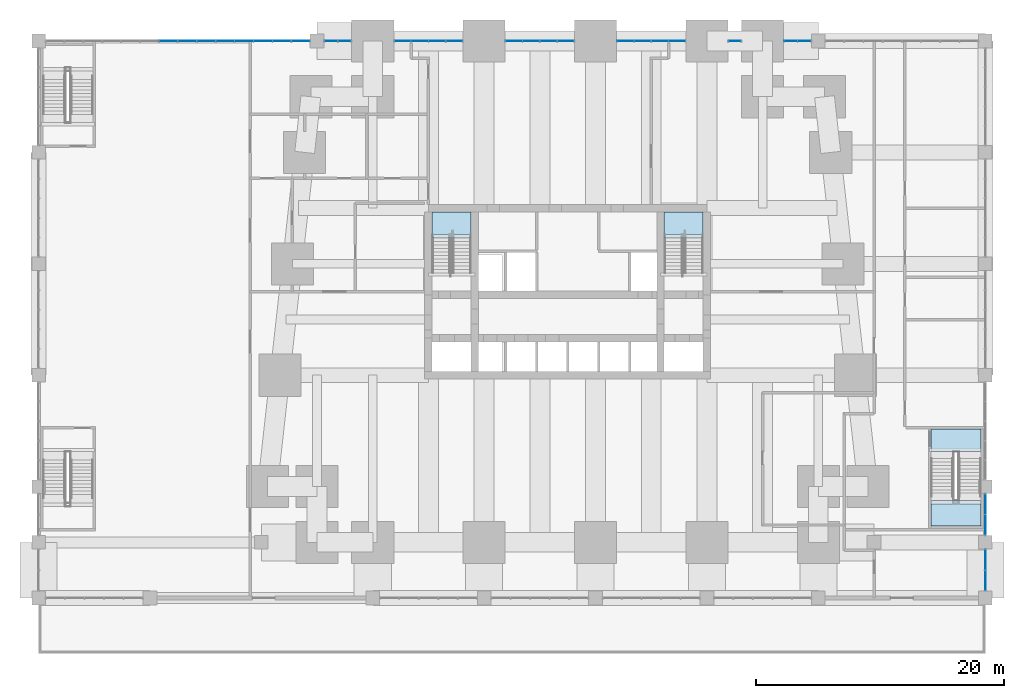
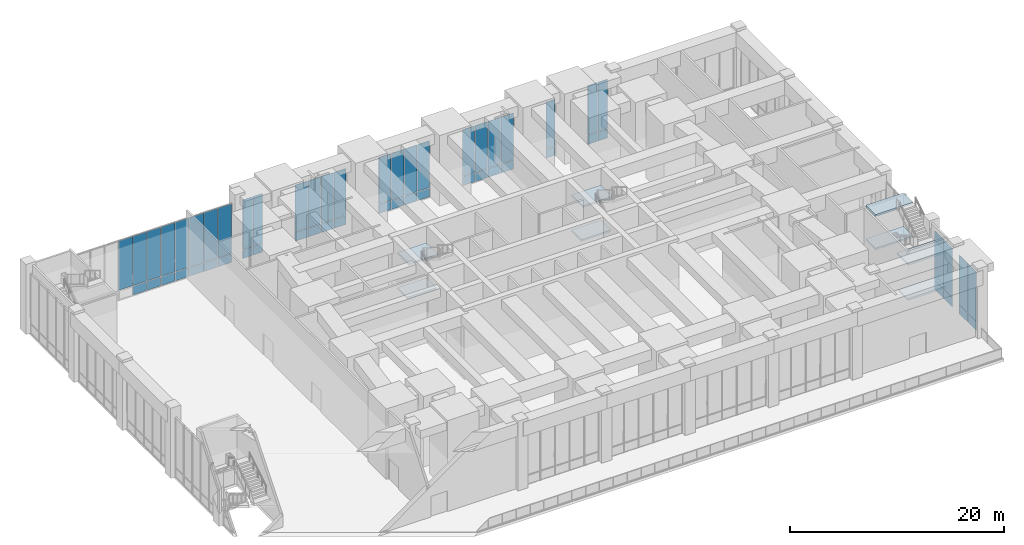
# One storey, part 16 of 26: 57 plates, 8 slabs, 12 elements without a shape of their own.
"""IFC4 building model written with IfcOpenShell, lengths in metres."""

from ifc_helpers import new_model, si_unit, direction, frame, origin, origin_2d, place, context, subcontext, project, spatial, polyline, rectangle, outline, extrude, material, layer, layer_set, type_object, element, aggregate, save


model = new_model("IFC4")

# Units and contexts
model_context = context("Model", 3, precision=1e-05, world=origin(), true_north=direction((0.0, 1.0)))
body_context = subcontext(model_context, "Body", "Model", "MODEL_VIEW")
ifc_project = project(units=[si_unit("LENGTHUNIT", "METRE"), si_unit("AREAUNIT", "SQUARE_METRE"), si_unit("VOLUMEUNIT", "CUBIC_METRE"), si_unit("PLANEANGLEUNIT", "RADIAN"), si_unit("MASSUNIT", "GRAM", prefix="KILO")], contexts=[model_context])

# Site, building, storey
site_placement = place(None, origin())
site = spatial("IfcSite", under=ifc_project, at=site_placement, CompositionType="ELEMENT")
building_placement = place(site_placement, origin())
building = spatial("IfcBuilding", under=site, at=building_placement, Name="Kilele Tower Hotel", CompositionType="ELEMENT")
storey_placement = place(building_placement, frame((0.0, 0.0, 11.0)))
storey = spatial("IfcBuildingStorey", under=building, at=storey_placement, Name="L02", CompositionType="ELEMENT", Elevation=11.0)

# Curtain wall, plates
ifc_material_1 = material(Name="Aluminium curtain wall, clear double glazing", Category="aluminium")
curtain_wall_type_1 = type_object("IfcCurtainWallType", Name="Podium curtain wall CW-1", PredefinedType="NOTDEFINED", material=ifc_material_1)
curtain_wall_1_placement = place(storey_placement, origin())
curtain_wall_1 = element("IfcCurtainWall", 1, at=curtain_wall_1_placement, inside=storey, type_object=curtain_wall_type_1, Name="Podium curtain wall CW-1 L02", PredefinedType="NOTDEFINED")
ifc_material_2 = material(Name="Clear double glazing", Category="glass")
ifc_layer_1 = layer(ifc_material_2, 0.028076171875)
ifc_layer_set_1 = layer_set([ifc_layer_1], Name="Clear double glazing")
plate_type_1 = type_object("IfcPlateType", Name="Glazed panel 28 CW-1", PredefinedType="CURTAIN_PANEL", material=ifc_layer_set_1)
plate_1_placement = place(storey_placement, frame((43.87255859375, 40.5, 0.06005859375), z_axis=(0.0, 0.0, 1.0), x_axis=(-1.0, 0.0, 0.0)))
plate_1 = element("IfcPlate", 2, at=plate_1_placement, type_object=plate_type_1, Name="CW-1 panel 1.1", PredefinedType="CURTAIN_PANEL", context=body_context, shape_type="SweptSolid", body=[
    extrude(rectangle(XDim=1.034912109375, YDim=0.028076171875, at=origin_2d()), origin(), (0.0, 0.0, 1.0), 1.010009765625),
])
plate_2_placement = place(storey_placement, frame((43.87255859375, 40.5, 1.1298828125), z_axis=(0.0, 0.0, 1.0), x_axis=(-1.0, 0.0, 0.0)))
plate_2 = element("IfcPlate", 3, at=plate_2_placement, type_object=plate_type_1, Name="CW-1 panel 1.2", PredefinedType="CURTAIN_PANEL", context=body_context, shape_type="SweptSolid", body=[
    extrude(rectangle(XDim=1.034912109375, YDim=0.028076171875, at=origin_2d()), origin(), (0.0, 0.0, 1.0), 5.610107421875),
])
plate_3_placement = place(storey_placement, frame((42.777587890625, 40.5, 0.06005859375), z_axis=(0.0, 0.0, 1.0), x_axis=(-1.0, 0.0, 0.0)))
plate_3 = element("IfcPlate", 4, at=plate_3_placement, type_object=plate_type_1, Name="CW-1 panel 2.1", PredefinedType="CURTAIN_PANEL", context=body_context, shape_type="SweptSolid", body=[
    extrude(rectangle(XDim=1.034912109375, YDim=0.028076171875, at=origin_2d()), origin(), (0.0, 0.0, 1.0), 1.010009765625),
])
plate_4_placement = place(storey_placement, frame((42.777587890625, 40.5, 1.1298828125), z_axis=(0.0, 0.0, 1.0), x_axis=(-1.0, 0.0, 0.0)))
plate_4 = element("IfcPlate", 5, at=plate_4_placement, type_object=plate_type_1, Name="CW-1 panel 2.2", PredefinedType="CURTAIN_PANEL", context=body_context, shape_type="SweptSolid", body=[
    extrude(rectangle(XDim=1.034912109375, YDim=0.028076171875, at=origin_2d()), origin(), (0.0, 0.0, 1.0), 5.610107421875),
])
aggregate(curtain_wall_1, [plate_1, plate_2, plate_3, plate_4])

curtain_wall_2_placement = place(storey_placement, origin())
curtain_wall_2 = element("IfcCurtainWall", 6, at=curtain_wall_2_placement, inside=storey, type_object=curtain_wall_type_1, Name="Podium curtain wall CW-1 L02", PredefinedType="NOTDEFINED")
plate_5_placement = place(storey_placement, frame((38.25, 40.5, 0.06005859375), z_axis=(0.0, 0.0, 1.0), x_axis=(-1.0, 0.0, 0.0)))
plate_5 = element("IfcPlate", 7, at=plate_5_placement, type_object=plate_type_1, Name="CW-1 panel 1.1", PredefinedType="CURTAIN_PANEL", context=body_context, shape_type="SweptSolid", body=[
    extrude(rectangle(XDim=0.97998046875, YDim=0.028076171875, at=origin_2d()), origin(), (0.0, 0.0, 1.0), 1.010009765625),
])
plate_6_placement = place(storey_placement, frame((38.25, 40.5, 1.1298828125), z_axis=(0.0, 0.0, 1.0), x_axis=(-1.0, 0.0, 0.0)))
plate_6 = element("IfcPlate", 8, at=plate_6_placement, type_object=plate_type_1, Name="CW-1 panel 1.2", PredefinedType="CURTAIN_PANEL", context=body_context, shape_type="SweptSolid", body=[
    extrude(rectangle(XDim=0.97998046875, YDim=0.028076171875, at=origin_2d()), origin(), (0.0, 0.0, 1.0), 5.31005859375),
])
aggregate(curtain_wall_2, [plate_5, plate_6])

curtain_wall_3_placement = place(storey_placement, origin())
curtain_wall_3 = element("IfcCurtainWall", 9, at=curtain_wall_3_placement, inside=storey, type_object=curtain_wall_type_1, Name="Podium curtain wall CW-1 L02", PredefinedType="NOTDEFINED")
plate_7_placement = place(storey_placement, frame((33.5849609375, 40.5, 0.06005859375), z_axis=(0.0, 0.0, 1.0), x_axis=(-1.0, 0.0, 0.0)))
plate_7 = element("IfcPlate", 10, at=plate_7_placement, type_object=plate_type_1, Name="CW-1 panel 1.1", PredefinedType="CURTAIN_PANEL", context=body_context, shape_type="SweptSolid", body=[
    extrude(rectangle(XDim=1.31005859375, YDim=0.028076171875, at=origin_2d()), origin(), (0.0, 0.0, 1.0), 1.010009765625),
])
plate_8_placement = place(storey_placement, frame((33.5849609375, 40.5, 1.1298828125), z_axis=(0.0, 0.0, 1.0), x_axis=(-1.0, 0.0, 0.0)))
plate_8 = element("IfcPlate", 11, at=plate_8_placement, type_object=plate_type_1, Name="CW-1 panel 1.2", PredefinedType="CURTAIN_PANEL", context=body_context, shape_type="SweptSolid", body=[
    extrude(rectangle(XDim=1.31005859375, YDim=0.028076171875, at=origin_2d()), origin(), (0.0, 0.0, 1.0), 5.31005859375),
])
plate_9_placement = place(storey_placement, frame((32.199951171875, 40.5, 0.06005859375), z_axis=(0.0, 0.0, 1.0), x_axis=(-1.0, 0.0, 0.0)))
plate_9 = element("IfcPlate", 12, at=plate_9_placement, type_object=plate_type_1, Name="CW-1 panel 2.1", PredefinedType="CURTAIN_PANEL", context=body_context, shape_type="SweptSolid", body=[
    extrude(rectangle(XDim=1.340087890625, YDim=0.028076171875, at=origin_2d()), origin(), (0.0, 0.0, 1.0), 1.010009765625),
])
plate_10_placement = place(storey_placement, frame((32.199951171875, 40.5, 1.1298828125), z_axis=(0.0, 0.0, 1.0), x_axis=(-1.0, 0.0, 0.0)))
plate_10 = element("IfcPlate", 13, at=plate_10_placement, type_object=plate_type_1, Name="CW-1 panel 2.2", PredefinedType="CURTAIN_PANEL", context=body_context, shape_type="SweptSolid", body=[
    extrude(rectangle(XDim=1.340087890625, YDim=0.028076171875, at=origin_2d()), origin(), (0.0, 0.0, 1.0), 5.31005859375),
])
plate_11_placement = place(storey_placement, frame((30.800048828125, 40.5, 0.06005859375), z_axis=(0.0, 0.0, 1.0), x_axis=(-1.0, 0.0, 0.0)))
plate_11 = element("IfcPlate", 14, at=plate_11_placement, type_object=plate_type_1, Name="CW-1 panel 3.1", PredefinedType="CURTAIN_PANEL", context=body_context, shape_type="SweptSolid", body=[
    extrude(rectangle(XDim=1.340087890625, YDim=0.028076171875, at=origin_2d()), origin(), (0.0, 0.0, 1.0), 1.010009765625),
])
plate_12_placement = place(storey_placement, frame((30.800048828125, 40.5, 1.1298828125), z_axis=(0.0, 0.0, 1.0), x_axis=(-1.0, 0.0, 0.0)))
plate_12 = element("IfcPlate", 15, at=plate_12_placement, type_object=plate_type_1, Name="CW-1 panel 3.2", PredefinedType="CURTAIN_PANEL", context=body_context, shape_type="SweptSolid", body=[
    extrude(rectangle(XDim=1.340087890625, YDim=0.028076171875, at=origin_2d()), origin(), (0.0, 0.0, 1.0), 5.31005859375),
])
plate_13_placement = place(storey_placement, frame((29.4150390625, 40.5, 0.06005859375), z_axis=(0.0, 0.0, 1.0), x_axis=(-1.0, 0.0, 0.0)))
plate_13 = element("IfcPlate", 16, at=plate_13_placement, type_object=plate_type_1, Name="CW-1 panel 4.1", PredefinedType="CURTAIN_PANEL", context=body_context, shape_type="SweptSolid", body=[
    extrude(rectangle(XDim=1.31005859375, YDim=0.028076171875, at=origin_2d()), origin(), (0.0, 0.0, 1.0), 1.010009765625),
])
plate_14_placement = place(storey_placement, frame((29.4150390625, 40.5, 1.1298828125), z_axis=(0.0, 0.0, 1.0), x_axis=(-1.0, 0.0, 0.0)))
plate_14 = element("IfcPlate", 17, at=plate_14_placement, type_object=plate_type_1, Name="CW-1 panel 4.2", PredefinedType="CURTAIN_PANEL", context=body_context, shape_type="SweptSolid", body=[
    extrude(rectangle(XDim=1.31005859375, YDim=0.028076171875, at=origin_2d()), origin(), (0.0, 0.0, 1.0), 5.31005859375),
])
aggregate(curtain_wall_3, [plate_7, plate_8, plate_9, plate_10, plate_11, plate_12, plate_13, plate_14])

curtain_wall_4_placement = place(storey_placement, origin())
curtain_wall_4 = element("IfcCurtainWall", 18, at=curtain_wall_4_placement, inside=storey, type_object=curtain_wall_type_1, Name="Podium curtain wall CW-1 L02", PredefinedType="NOTDEFINED")
plate_15_placement = place(storey_placement, frame((24.5849609375, 40.5, 0.06005859375), z_axis=(0.0, 0.0, 1.0), x_axis=(-1.0, 0.0, 0.0)))
plate_15 = element("IfcPlate", 19, at=plate_15_placement, type_object=plate_type_1, Name="CW-1 panel 1.1", PredefinedType="CURTAIN_PANEL", context=body_context, shape_type="SweptSolid", body=[
    extrude(rectangle(XDim=1.31005859375, YDim=0.028076171875, at=origin_2d()), origin(), (0.0, 0.0, 1.0), 1.010009765625),
])
plate_16_placement = place(storey_placement, frame((24.5849609375, 40.5, 1.1298828125), z_axis=(0.0, 0.0, 1.0), x_axis=(-1.0, 0.0, 0.0)))
plate_16 = element("IfcPlate", 20, at=plate_16_placement, type_object=plate_type_1, Name="CW-1 panel 1.2", PredefinedType="CURTAIN_PANEL", context=body_context, shape_type="SweptSolid", body=[
    extrude(rectangle(XDim=1.31005859375, YDim=0.028076171875, at=origin_2d()), origin(), (0.0, 0.0, 1.0), 5.31005859375),
])
plate_17_placement = place(storey_placement, frame((23.199951171875, 40.5, 0.06005859375), z_axis=(0.0, 0.0, 1.0), x_axis=(-1.0, 0.0, 0.0)))
plate_17 = element("IfcPlate", 21, at=plate_17_placement, type_object=plate_type_1, Name="CW-1 panel 2.1", PredefinedType="CURTAIN_PANEL", context=body_context, shape_type="SweptSolid", body=[
    extrude(rectangle(XDim=1.340087890625, YDim=0.028076171875, at=origin_2d()), origin(), (0.0, 0.0, 1.0), 1.010009765625),
])
plate_18_placement = place(storey_placement, frame((23.199951171875, 40.5, 1.1298828125), z_axis=(0.0, 0.0, 1.0), x_axis=(-1.0, 0.0, 0.0)))
plate_18 = element("IfcPlate", 22, at=plate_18_placement, type_object=plate_type_1, Name="CW-1 panel 2.2", PredefinedType="CURTAIN_PANEL", context=body_context, shape_type="SweptSolid", body=[
    extrude(rectangle(XDim=1.340087890625, YDim=0.028076171875, at=origin_2d()), origin(), (0.0, 0.0, 1.0), 5.31005859375),
])
plate_19_placement = place(storey_placement, frame((21.800048828125, 40.5, 0.06005859375), z_axis=(0.0, 0.0, 1.0), x_axis=(-1.0, 0.0, 0.0)))
plate_19 = element("IfcPlate", 23, at=plate_19_placement, type_object=plate_type_1, Name="CW-1 panel 3.1", PredefinedType="CURTAIN_PANEL", context=body_context, shape_type="SweptSolid", body=[
    extrude(rectangle(XDim=1.340087890625, YDim=0.028076171875, at=origin_2d()), origin(), (0.0, 0.0, 1.0), 1.010009765625),
])
plate_20_placement = place(storey_placement, frame((21.800048828125, 40.5, 1.1298828125), z_axis=(0.0, 0.0, 1.0), x_axis=(-1.0, 0.0, 0.0)))
plate_20 = element("IfcPlate", 24, at=plate_20_placement, type_object=plate_type_1, Name="CW-1 panel 3.2", PredefinedType="CURTAIN_PANEL", context=body_context, shape_type="SweptSolid", body=[
    extrude(rectangle(XDim=1.340087890625, YDim=0.028076171875, at=origin_2d()), origin(), (0.0, 0.0, 1.0), 5.31005859375),
])
plate_21_placement = place(storey_placement, frame((20.4150390625, 40.5, 0.06005859375), z_axis=(0.0, 0.0, 1.0), x_axis=(-1.0, 0.0, 0.0)))
plate_21 = element("IfcPlate", 25, at=plate_21_placement, type_object=plate_type_1, Name="CW-1 panel 4.1", PredefinedType="CURTAIN_PANEL", context=body_context, shape_type="SweptSolid", body=[
    extrude(rectangle(XDim=1.31005859375, YDim=0.028076171875, at=origin_2d()), origin(), (0.0, 0.0, 1.0), 1.010009765625),
])
plate_22_placement = place(storey_placement, frame((20.4150390625, 40.5, 1.1298828125), z_axis=(0.0, 0.0, 1.0), x_axis=(-1.0, 0.0, 0.0)))
plate_22 = element("IfcPlate", 26, at=plate_22_placement, type_object=plate_type_1, Name="CW-1 panel 4.2", PredefinedType="CURTAIN_PANEL", context=body_context, shape_type="SweptSolid", body=[
    extrude(rectangle(XDim=1.31005859375, YDim=0.028076171875, at=origin_2d()), origin(), (0.0, 0.0, 1.0), 5.31005859375),
])
aggregate(curtain_wall_4, [plate_15, plate_16, plate_17, plate_18, plate_19, plate_20, plate_21, plate_22])

curtain_wall_5_placement = place(storey_placement, origin())
curtain_wall_5 = element("IfcCurtainWall", 27, at=curtain_wall_5_placement, inside=storey, type_object=curtain_wall_type_1, Name="Podium curtain wall CW-1 L02", PredefinedType="NOTDEFINED")
plate_23_placement = place(storey_placement, frame((15.5849609375, 40.5, 0.06005859375), z_axis=(0.0, 0.0, 1.0), x_axis=(-1.0, 0.0, 0.0)))
plate_23 = element("IfcPlate", 28, at=plate_23_placement, type_object=plate_type_1, Name="CW-1 panel 1.1", PredefinedType="CURTAIN_PANEL", context=body_context, shape_type="SweptSolid", body=[
    extrude(rectangle(XDim=1.31005859375, YDim=0.028076171875, at=origin_2d()), origin(), (0.0, 0.0, 1.0), 1.010009765625),
])
plate_24_placement = place(storey_placement, frame((15.5849609375, 40.5, 1.1298828125), z_axis=(0.0, 0.0, 1.0), x_axis=(-1.0, 0.0, 0.0)))
plate_24 = element("IfcPlate", 29, at=plate_24_placement, type_object=plate_type_1, Name="CW-1 panel 1.2", PredefinedType="CURTAIN_PANEL", context=body_context, shape_type="SweptSolid", body=[
    extrude(rectangle(XDim=1.31005859375, YDim=0.028076171875, at=origin_2d()), origin(), (0.0, 0.0, 1.0), 5.31005859375),
])
plate_25_placement = place(storey_placement, frame((14.199951171875, 40.5, 0.06005859375), z_axis=(0.0, 0.0, 1.0), x_axis=(-1.0, 0.0, 0.0)))
plate_25 = element("IfcPlate", 30, at=plate_25_placement, type_object=plate_type_1, Name="CW-1 panel 2.1", PredefinedType="CURTAIN_PANEL", context=body_context, shape_type="SweptSolid", body=[
    extrude(rectangle(XDim=1.340087890625, YDim=0.028076171875, at=origin_2d()), origin(), (0.0, 0.0, 1.0), 1.010009765625),
])
plate_26_placement = place(storey_placement, frame((14.199951171875, 40.5, 1.1298828125), z_axis=(0.0, 0.0, 1.0), x_axis=(-1.0, 0.0, 0.0)))
plate_26 = element("IfcPlate", 31, at=plate_26_placement, type_object=plate_type_1, Name="CW-1 panel 2.2", PredefinedType="CURTAIN_PANEL", context=body_context, shape_type="SweptSolid", body=[
    extrude(rectangle(XDim=1.340087890625, YDim=0.028076171875, at=origin_2d()), origin(), (0.0, 0.0, 1.0), 5.31005859375),
])
plate_27_placement = place(storey_placement, frame((12.800048828125, 40.5, 0.06005859375), z_axis=(0.0, 0.0, 1.0), x_axis=(-1.0, 0.0, 0.0)))
plate_27 = element("IfcPlate", 32, at=plate_27_placement, type_object=plate_type_1, Name="CW-1 panel 3.1", PredefinedType="CURTAIN_PANEL", context=body_context, shape_type="SweptSolid", body=[
    extrude(rectangle(XDim=1.340087890625, YDim=0.028076171875, at=origin_2d()), origin(), (0.0, 0.0, 1.0), 1.010009765625),
])
plate_28_placement = place(storey_placement, frame((12.800048828125, 40.5, 1.1298828125), z_axis=(0.0, 0.0, 1.0), x_axis=(-1.0, 0.0, 0.0)))
plate_28 = element("IfcPlate", 33, at=plate_28_placement, type_object=plate_type_1, Name="CW-1 panel 3.2", PredefinedType="CURTAIN_PANEL", context=body_context, shape_type="SweptSolid", body=[
    extrude(rectangle(XDim=1.340087890625, YDim=0.028076171875, at=origin_2d()), origin(), (0.0, 0.0, 1.0), 5.31005859375),
])
plate_29_placement = place(storey_placement, frame((11.4150390625, 40.5, 0.06005859375), z_axis=(0.0, 0.0, 1.0), x_axis=(-1.0, 0.0, 0.0)))
plate_29 = element("IfcPlate", 34, at=plate_29_placement, type_object=plate_type_1, Name="CW-1 panel 4.1", PredefinedType="CURTAIN_PANEL", context=body_context, shape_type="SweptSolid", body=[
    extrude(rectangle(XDim=1.31005859375, YDim=0.028076171875, at=origin_2d()), origin(), (0.0, 0.0, 1.0), 1.010009765625),
])
plate_30_placement = place(storey_placement, frame((11.4150390625, 40.5, 1.1298828125), z_axis=(0.0, 0.0, 1.0), x_axis=(-1.0, 0.0, 0.0)))
plate_30 = element("IfcPlate", 35, at=plate_30_placement, type_object=plate_type_1, Name="CW-1 panel 4.2", PredefinedType="CURTAIN_PANEL", context=body_context, shape_type="SweptSolid", body=[
    extrude(rectangle(XDim=1.31005859375, YDim=0.028076171875, at=origin_2d()), origin(), (0.0, 0.0, 1.0), 5.31005859375),
])
aggregate(curtain_wall_5, [plate_23, plate_24, plate_25, plate_26, plate_27, plate_28, plate_29, plate_30])

curtain_wall_6_placement = place(storey_placement, origin())
curtain_wall_6 = element("IfcCurtainWall", 36, at=curtain_wall_6_placement, inside=storey, type_object=curtain_wall_type_1, Name="Podium curtain wall CW-1 L02", PredefinedType="NOTDEFINED")
plate_31_placement = place(storey_placement, frame((6.722412109375, 40.5, 0.06005859375), z_axis=(0.0, 0.0, 1.0), x_axis=(-1.0, 0.0, 0.0)))
plate_31 = element("IfcPlate", 37, at=plate_31_placement, type_object=plate_type_1, Name="CW-1 panel 1.1", PredefinedType="CURTAIN_PANEL", context=body_context, shape_type="SweptSolid", body=[
    extrude(rectangle(XDim=1.034912109375, YDim=0.028076171875, at=origin_2d()), origin(), (0.0, 0.0, 1.0), 1.010009765625),
])
plate_32_placement = place(storey_placement, frame((6.722412109375, 40.5, 1.1298828125), z_axis=(0.0, 0.0, 1.0), x_axis=(-1.0, 0.0, 0.0)))
plate_32 = element("IfcPlate", 38, at=plate_32_placement, type_object=plate_type_1, Name="CW-1 panel 1.2", PredefinedType="CURTAIN_PANEL", context=body_context, shape_type="SweptSolid", body=[
    extrude(rectangle(XDim=1.034912109375, YDim=0.028076171875, at=origin_2d()), origin(), (0.0, 0.0, 1.0), 5.610107421875),
])
plate_33_placement = place(storey_placement, frame((5.62744140625, 40.5, 0.06005859375), z_axis=(0.0, 0.0, 1.0), x_axis=(-1.0, 0.0, 0.0)))
plate_33 = element("IfcPlate", 39, at=plate_33_placement, type_object=plate_type_1, Name="CW-1 panel 2.1", PredefinedType="CURTAIN_PANEL", context=body_context, shape_type="SweptSolid", body=[
    extrude(rectangle(XDim=1.034912109375, YDim=0.028076171875, at=origin_2d()), origin(), (0.0, 0.0, 1.0), 1.010009765625),
])
plate_34_placement = place(storey_placement, frame((5.62744140625, 40.5, 1.1298828125), z_axis=(0.0, 0.0, 1.0), x_axis=(-1.0, 0.0, 0.0)))
plate_34 = element("IfcPlate", 40, at=plate_34_placement, type_object=plate_type_1, Name="CW-1 panel 2.2", PredefinedType="CURTAIN_PANEL", context=body_context, shape_type="SweptSolid", body=[
    extrude(rectangle(XDim=1.034912109375, YDim=0.028076171875, at=origin_2d()), origin(), (0.0, 0.0, 1.0), 5.610107421875),
])
aggregate(curtain_wall_6, [plate_31, plate_32, plate_33, plate_34])

curtain_wall_7_placement = place(storey_placement, origin())
curtain_wall_7 = element("IfcCurtainWall", 41, at=curtain_wall_7_placement, inside=storey, type_object=curtain_wall_type_1, Name="Podium curtain wall CW-1 L02", PredefinedType="NOTDEFINED")
plate_35_placement = place(storey_placement, frame((3.170654296875, 40.5, 0.06005859375), z_axis=(0.0, 0.0, 1.0), x_axis=(-1.0, 0.0, 0.0)))
plate_35 = element("IfcPlate", 42, at=plate_35_placement, type_object=plate_type_1, Name="CW-1 panel 1.1", PredefinedType="CURTAIN_PANEL", context=body_context, shape_type="SweptSolid", body=[
    extrude(rectangle(XDim=1.4384765625, YDim=0.028076171875, at=origin_2d()), origin(), (0.0, 0.0, 1.0), 1.010009765625),
])
plate_36_placement = place(storey_placement, frame((3.170654296875, 40.5, 1.1298828125), z_axis=(0.0, 0.0, 1.0), x_axis=(-1.0, 0.0, 0.0)))
plate_36 = element("IfcPlate", 43, at=plate_36_placement, type_object=plate_type_1, Name="CW-1 panel 1.2", PredefinedType="CURTAIN_PANEL", context=body_context, shape_type="SweptSolid", body=[
    extrude(rectangle(XDim=1.4384765625, YDim=0.028076171875, at=origin_2d()), origin(), (0.0, 0.0, 1.0), 5.610107421875),
])
plate_37_placement = place(storey_placement, frame((1.6572265625, 40.5, 0.06005859375), z_axis=(0.0, 0.0, 1.0), x_axis=(-1.0, 0.0, 0.0)))
plate_37 = element("IfcPlate", 44, at=plate_37_placement, type_object=plate_type_1, Name="CW-1 panel 2.1", PredefinedType="CURTAIN_PANEL", context=body_context, shape_type="SweptSolid", body=[
    extrude(rectangle(XDim=1.468505859375, YDim=0.028076171875, at=origin_2d()), origin(), (0.0, 0.0, 1.0), 1.010009765625),
])
plate_38_placement = place(storey_placement, frame((1.6572265625, 40.5, 1.1298828125), z_axis=(0.0, 0.0, 1.0), x_axis=(-1.0, 0.0, 0.0)))
plate_38 = element("IfcPlate", 45, at=plate_38_placement, type_object=plate_type_1, Name="CW-1 panel 2.2", PredefinedType="CURTAIN_PANEL", context=body_context, shape_type="SweptSolid", body=[
    extrude(rectangle(XDim=1.468505859375, YDim=0.028076171875, at=origin_2d()), origin(), (0.0, 0.0, 1.0), 5.610107421875),
])
plate_39_placement = place(storey_placement, frame((0.128662109375, 40.5, 0.06005859375), z_axis=(0.0, 0.0, 1.0), x_axis=(-1.0, 0.0, 0.0)))
plate_39 = element("IfcPlate", 46, at=plate_39_placement, type_object=plate_type_1, Name="CW-1 panel 3.1", PredefinedType="CURTAIN_PANEL", context=body_context, shape_type="SweptSolid", body=[
    extrude(rectangle(XDim=1.468505859375, YDim=0.028076171875, at=origin_2d()), origin(), (0.0, 0.0, 1.0), 1.010009765625),
])
plate_40_placement = place(storey_placement, frame((0.128662109375, 40.5, 1.1298828125), z_axis=(0.0, 0.0, 1.0), x_axis=(-1.0, 0.0, 0.0)))
plate_40 = element("IfcPlate", 47, at=plate_40_placement, type_object=plate_type_1, Name="CW-1 panel 3.2", PredefinedType="CURTAIN_PANEL", context=body_context, shape_type="SweptSolid", body=[
    extrude(rectangle(XDim=1.468505859375, YDim=0.028076171875, at=origin_2d()), origin(), (0.0, 0.0, 1.0), 5.610107421875),
])
plate_41_placement = place(storey_placement, frame((-1.39990234375, 40.5, 0.06005859375), z_axis=(0.0, 0.0, 1.0), x_axis=(-1.0, 0.0, 0.0)))
plate_41 = element("IfcPlate", 48, at=plate_41_placement, type_object=plate_type_1, Name="CW-1 panel 4.1", PredefinedType="CURTAIN_PANEL", context=body_context, shape_type="SweptSolid", body=[
    extrude(rectangle(XDim=1.468505859375, YDim=0.028076171875, at=origin_2d()), origin(), (0.0, 0.0, 1.0), 1.010009765625),
])
plate_42_placement = place(storey_placement, frame((-1.39990234375, 40.5, 1.1298828125), z_axis=(0.0, 0.0, 1.0), x_axis=(-1.0, 0.0, 0.0)))
plate_42 = element("IfcPlate", 49, at=plate_42_placement, type_object=plate_type_1, Name="CW-1 panel 4.2", PredefinedType="CURTAIN_PANEL", context=body_context, shape_type="SweptSolid", body=[
    extrude(rectangle(XDim=1.468505859375, YDim=0.028076171875, at=origin_2d()), origin(), (0.0, 0.0, 1.0), 5.610107421875),
])
plate_43_placement = place(storey_placement, frame((-2.928466796875, 40.5, 0.06005859375), z_axis=(0.0, 0.0, 1.0), x_axis=(-1.0, 0.0, 0.0)))
plate_43 = element("IfcPlate", 50, at=plate_43_placement, type_object=plate_type_1, Name="CW-1 panel 5.1", PredefinedType="CURTAIN_PANEL", context=body_context, shape_type="SweptSolid", body=[
    extrude(rectangle(XDim=1.468505859375, YDim=0.028076171875, at=origin_2d()), origin(), (0.0, 0.0, 1.0), 1.010009765625),
])
plate_44_placement = place(storey_placement, frame((-2.928466796875, 40.5, 1.1298828125), z_axis=(0.0, 0.0, 1.0), x_axis=(-1.0, 0.0, 0.0)))
plate_44 = element("IfcPlate", 51, at=plate_44_placement, type_object=plate_type_1, Name="CW-1 panel 5.2", PredefinedType="CURTAIN_PANEL", context=body_context, shape_type="SweptSolid", body=[
    extrude(rectangle(XDim=1.468505859375, YDim=0.028076171875, at=origin_2d()), origin(), (0.0, 0.0, 1.0), 5.610107421875),
])
plate_45_placement = place(storey_placement, frame((-4.45703125, 40.5, 0.06005859375), z_axis=(0.0, 0.0, 1.0), x_axis=(-1.0, 0.0, 0.0)))
plate_45 = element("IfcPlate", 52, at=plate_45_placement, type_object=plate_type_1, Name="CW-1 panel 6.1", PredefinedType="CURTAIN_PANEL", context=body_context, shape_type="SweptSolid", body=[
    extrude(rectangle(XDim=1.468505859375, YDim=0.028076171875, at=origin_2d()), origin(), (0.0, 0.0, 1.0), 1.010009765625),
])
plate_46_placement = place(storey_placement, frame((-4.45703125, 40.5, 1.1298828125), z_axis=(0.0, 0.0, 1.0), x_axis=(-1.0, 0.0, 0.0)))
plate_46 = element("IfcPlate", 53, at=plate_46_placement, type_object=plate_type_1, Name="CW-1 panel 6.2", PredefinedType="CURTAIN_PANEL", context=body_context, shape_type="SweptSolid", body=[
    extrude(rectangle(XDim=1.468505859375, YDim=0.028076171875, at=origin_2d()), origin(), (0.0, 0.0, 1.0), 5.610107421875),
])
plate_47_placement = place(storey_placement, frame((-5.985595703125, 40.5, 0.06005859375), z_axis=(0.0, 0.0, 1.0), x_axis=(-1.0, 0.0, 0.0)))
plate_47 = element("IfcPlate", 54, at=plate_47_placement, type_object=plate_type_1, Name="CW-1 panel 7.1", PredefinedType="CURTAIN_PANEL", context=body_context, shape_type="SweptSolid", body=[
    extrude(rectangle(XDim=1.468505859375, YDim=0.028076171875, at=origin_2d()), origin(), (0.0, 0.0, 1.0), 1.010009765625),
])
plate_48_placement = place(storey_placement, frame((-5.985595703125, 40.5, 1.1298828125), z_axis=(0.0, 0.0, 1.0), x_axis=(-1.0, 0.0, 0.0)))
plate_48 = element("IfcPlate", 55, at=plate_48_placement, type_object=plate_type_1, Name="CW-1 panel 7.2", PredefinedType="CURTAIN_PANEL", context=body_context, shape_type="SweptSolid", body=[
    extrude(rectangle(XDim=1.468505859375, YDim=0.028076171875, at=origin_2d()), origin(), (0.0, 0.0, 1.0), 5.610107421875),
])
plate_49_placement = place(storey_placement, frame((-7.514404296875, 40.5, 1.1298828125), z_axis=(0.0, 0.0, 1.0), x_axis=(-1.0, 0.0, 0.0)))
plate_49 = element("IfcPlate", 56, at=plate_49_placement, type_object=plate_type_1, Name="CW-1 panel 8.2", PredefinedType="CURTAIN_PANEL", context=body_context, shape_type="SweptSolid", body=[
    extrude(rectangle(XDim=1.468505859375, YDim=0.028076171875, at=origin_2d()), origin(), (0.0, 0.0, 1.0), 5.610107421875),
])
aggregate(curtain_wall_7, [plate_35, plate_36, plate_37, plate_38, plate_39, plate_40, plate_41, plate_42, plate_43, plate_44, plate_45, plate_46, plate_47, plate_48, plate_49])

ifc_material_3 = material(Name="Aluminium curtain wall, clear double glazing", Category="aluminium")
curtain_wall_type_2 = type_object("IfcCurtainWallType", Name="Podium side curtain wall CW-2", PredefinedType="NOTDEFINED", material=ifc_material_3)
curtain_wall_8_placement = place(storey_placement, origin())
curtain_wall_8 = element("IfcCurtainWall", 57, at=curtain_wall_8_placement, inside=storey, type_object=curtain_wall_type_2, Name="Podium side curtain wall CW-2 L02", PredefinedType="NOTDEFINED")
ifc_material_4 = material(Name="Clear double glazing", Category="glass")
ifc_layer_2 = layer(ifc_material_4, 0.028076171875)
ifc_layer_set_2 = layer_set([ifc_layer_2], Name="Clear double glazing")
plate_type_2 = type_object("IfcPlateType", Name="Glazed panel 28 CW-2", PredefinedType="CURTAIN_PANEL", material=ifc_layer_set_2)
plate_50_placement = place(storey_placement, frame((58.5, -3.0849609375, 0.06005859375), z_axis=(0.0, 0.0, 1.0), x_axis=(0.0, 1.0, 0.0)))
plate_50 = element("IfcPlate", 58, at=plate_50_placement, type_object=plate_type_2, Name="CW-2 panel 1.1", PredefinedType="CURTAIN_PANEL", context=body_context, shape_type="SweptSolid", body=[
    extrude(rectangle(XDim=1.610107421875, YDim=0.028076171875, at=origin_2d()), origin(), (0.0, 0.0, 1.0), 1.010009765625),
])
plate_51_placement = place(storey_placement, frame((58.5, -3.0849609375, 1.1298828125), z_axis=(0.0, 0.0, 1.0), x_axis=(0.0, 1.0, 0.0)))
plate_51 = element("IfcPlate", 59, at=plate_51_placement, type_object=plate_type_2, Name="CW-2 panel 1.2", PredefinedType="CURTAIN_PANEL", context=body_context, shape_type="SweptSolid", body=[
    extrude(rectangle(XDim=1.610107421875, YDim=0.028076171875, at=origin_2d()), origin(), (0.0, 0.0, 1.0), 5.610107421875),
])
plate_52_placement = place(storey_placement, frame((58.5, -1.4150390625, 0.06005859375), z_axis=(0.0, 0.0, 1.0), x_axis=(0.0, 1.0, 0.0)))
plate_52 = element("IfcPlate", 60, at=plate_52_placement, type_object=plate_type_2, Name="CW-2 panel 2.1", PredefinedType="CURTAIN_PANEL", context=body_context, shape_type="SweptSolid", body=[
    extrude(rectangle(XDim=1.610107421875, YDim=0.028076171875, at=origin_2d()), origin(), (0.0, 0.0, 1.0), 1.010009765625),
])
plate_53_placement = place(storey_placement, frame((58.5, -1.4150390625, 1.1298828125), z_axis=(0.0, 0.0, 1.0), x_axis=(0.0, 1.0, 0.0)))
plate_53 = element("IfcPlate", 61, at=plate_53_placement, type_object=plate_type_2, Name="CW-2 panel 2.2", PredefinedType="CURTAIN_PANEL", context=body_context, shape_type="SweptSolid", body=[
    extrude(rectangle(XDim=1.610107421875, YDim=0.028076171875, at=origin_2d()), origin(), (0.0, 0.0, 1.0), 5.610107421875),
])
aggregate(curtain_wall_8, [plate_50, plate_51, plate_52, plate_53])

curtain_wall_9_placement = place(storey_placement, origin())
curtain_wall_9 = element("IfcCurtainWall", 62, at=curtain_wall_9_placement, inside=storey, type_object=curtain_wall_type_2, Name="Podium side curtain wall CW-2 L02", PredefinedType="NOTDEFINED")
plate_54_placement = place(storey_placement, frame((58.5, 1.4150390625, 0.06005859375), z_axis=(0.0, 0.0, 1.0), x_axis=(0.0, 1.0, 0.0)))
plate_54 = element("IfcPlate", 63, at=plate_54_placement, type_object=plate_type_2, Name="CW-2 panel 1.1", PredefinedType="CURTAIN_PANEL", context=body_context, shape_type="SweptSolid", body=[
    extrude(rectangle(XDim=1.610107421875, YDim=0.028076171875, at=origin_2d()), origin(), (0.0, 0.0, 1.0), 1.010009765625),
])
plate_55_placement = place(storey_placement, frame((58.5, 1.4150390625, 1.1298828125), z_axis=(0.0, 0.0, 1.0), x_axis=(0.0, 1.0, 0.0)))
plate_55 = element("IfcPlate", 64, at=plate_55_placement, type_object=plate_type_2, Name="CW-2 panel 1.2", PredefinedType="CURTAIN_PANEL", context=body_context, shape_type="SweptSolid", body=[
    extrude(rectangle(XDim=1.610107421875, YDim=0.028076171875, at=origin_2d()), origin(), (0.0, 0.0, 1.0), 5.610107421875),
])
plate_56_placement = place(storey_placement, frame((58.5, 3.0849609375, 0.06005859375), z_axis=(0.0, 0.0, 1.0), x_axis=(0.0, 1.0, 0.0)))
plate_56 = element("IfcPlate", 65, at=plate_56_placement, type_object=plate_type_2, Name="CW-2 panel 2.1", PredefinedType="CURTAIN_PANEL", context=body_context, shape_type="SweptSolid", body=[
    extrude(rectangle(XDim=1.610107421875, YDim=0.028076171875, at=origin_2d()), origin(), (0.0, 0.0, 1.0), 1.010009765625),
])
plate_57_placement = place(storey_placement, frame((58.5, 3.0849609375, 1.1298828125), z_axis=(0.0, 0.0, 1.0), x_axis=(0.0, 1.0, 0.0)))
plate_57 = element("IfcPlate", 66, at=plate_57_placement, type_object=plate_type_2, Name="CW-2 panel 2.2", PredefinedType="CURTAIN_PANEL", context=body_context, shape_type="SweptSolid", body=[
    extrude(rectangle(XDim=1.610107421875, YDim=0.028076171875, at=origin_2d()), origin(), (0.0, 0.0, 1.0), 5.610107421875),
])
aggregate(curtain_wall_9, [plate_54, plate_55, plate_56, plate_57])

# Stair, slabs
ifc_material_5 = material(Name="Precast concrete C40/50", Category="concrete")
stair_type_1 = type_object("IfcStairType", Name="Stair 1475 x 8000", PredefinedType="HALF_TURN_STAIR", material=ifc_material_5)
stair_1_placement = place(storey_placement, origin())
stair_1 = element("IfcStair", 67, at=stair_1_placement, inside=storey, type_object=stair_type_1, Name="Stair 1 L02", PredefinedType="HALF_TURN_STAIR")
ifc_material_6 = material(Name="Precast concrete C40/50", Category="concrete")
ifc_layer_3 = layer(ifc_material_6, 0.199951171875)
ifc_layer_set_3 = layer_set([ifc_layer_3], Name="Precast concrete C40/50")
slab_type = type_object("IfcSlabType", Name="Stair landing 200", PredefinedType="LANDING", material=ifc_layer_set_3)
slab_1_placement = place(storey_placement, frame((0.0, 0.0, 1.886962890625)))
slab_1 = element("IfcSlab", 68, at=slab_1_placement, type_object=slab_type, Name="ST1 landing 1", PredefinedType="LANDING", context=body_context, shape_type="SweptSolid", body=[
    extrude(outline(polyline([(13.800048828125, 24.85498046875), (16.949951171875, 24.85498046875), (16.949951171875, 26.699951171875), (13.800048828125, 26.699951171875), (13.800048828125, 24.85498046875)])), origin(), (0.0, 0.0, 1.0), 0.199951171875),
])
slab_2_placement = place(storey_placement, frame((0.0, 0.0, 5.886962890625)))
slab_2 = element("IfcSlab", 69, at=slab_2_placement, type_object=slab_type, Name="ST1 landing 3", PredefinedType="LANDING", context=body_context, shape_type="SweptSolid", body=[
    extrude(outline(polyline([(13.800048828125, 24.574951171875), (16.949951171875, 24.574951171875), (16.949951171875, 26.699951171875), (13.800048828125, 26.699951171875), (13.800048828125, 24.574951171875)])), origin(), (0.0, 0.0, 1.0), 0.199951171875),
])
aggregate(stair_1, [slab_1, slab_2])

stair_2_placement = place(storey_placement, origin())
stair_2 = element("IfcStair", 70, at=stair_2_placement, inside=storey, type_object=stair_type_1, Name="Stair 2 L02", PredefinedType="HALF_TURN_STAIR")
slab_3_placement = place(storey_placement, frame((0.0, 0.0, 1.886962890625)))
slab_3 = element("IfcSlab", 71, at=slab_3_placement, type_object=slab_type, Name="ST2 landing 1", PredefinedType="LANDING", context=body_context, shape_type="SweptSolid", body=[
    extrude(outline(polyline([(32.550048828125, 24.85498046875), (35.699951171875, 24.85498046875), (35.699951171875, 26.699951171875), (32.550048828125, 26.699951171875), (32.550048828125, 24.85498046875)])), origin(), (0.0, 0.0, 1.0), 0.199951171875),
])
slab_4_placement = place(storey_placement, frame((0.0, 0.0, 5.886962890625)))
slab_4 = element("IfcSlab", 72, at=slab_4_placement, type_object=slab_type, Name="ST2 landing 3", PredefinedType="LANDING", context=body_context, shape_type="SweptSolid", body=[
    extrude(outline(polyline([(32.550048828125, 24.574951171875), (35.699951171875, 24.574951171875), (35.699951171875, 26.699951171875), (32.550048828125, 26.699951171875), (32.550048828125, 24.574951171875)])), origin(), (0.0, 0.0, 1.0), 0.199951171875),
])
aggregate(stair_2, [slab_3, slab_4])

ifc_material_7 = material(Name="Precast concrete C40/50", Category="concrete")
stair_type_2 = type_object("IfcStairType", Name="Stair 1800 x 8000", PredefinedType="HALF_TURN_STAIR", material=ifc_material_7)
stair_3_placement = place(storey_placement, origin())
stair_3 = element("IfcStair", 73, at=stair_3_placement, inside=storey, type_object=stair_type_2, Name="Stair 5 L02", PredefinedType="HALF_TURN_STAIR")
slab_5_placement = place(storey_placement, frame((0.0, 0.0, 1.886962890625)))
slab_5 = element("IfcSlab", 74, at=slab_5_placement, type_object=slab_type, Name="ST5 landing 1", PredefinedType="LANDING", context=body_context, shape_type="SweptSolid", body=[
    extrude(outline(polyline([(54.10009765625, 1.300048828125), (58.14990234375, 1.300048828125), (58.14990234375, 3.10009765625), (54.10009765625, 3.10009765625), (54.10009765625, 1.300048828125)])), origin(), (0.0, 0.0, 1.0), 0.199951171875),
])
slab_6_placement = place(storey_placement, frame((0.0, 0.0, 3.973876953125)))
slab_6 = element("IfcSlab", 75, at=slab_6_placement, type_object=slab_type, Name="ST5 landing 2", PredefinedType="LANDING", context=body_context, shape_type="SweptSolid", body=[
    extrude(outline(polyline([(54.10009765625, 7.35009765625), (58.14990234375, 7.35009765625), (58.14990234375, 9.14990234375), (54.10009765625, 9.14990234375), (54.10009765625, 7.35009765625)])), origin(), (0.0, 0.0, 1.0), 0.199951171875),
])
slab_7_placement = place(storey_placement, frame((0.0, 0.0, 5.886962890625)))
slab_7 = element("IfcSlab", 76, at=slab_7_placement, type_object=slab_type, Name="ST5 landing 3", PredefinedType="LANDING", context=body_context, shape_type="SweptSolid", body=[
    extrude(outline(polyline([(54.10009765625, 1.300048828125), (58.14990234375, 1.300048828125), (58.14990234375, 3.3798828125), (54.10009765625, 3.3798828125), (54.10009765625, 1.300048828125)])), origin(), (0.0, 0.0, 1.0), 0.199951171875),
])
slab_8_placement = place(storey_placement, frame((0.0, 0.0, 7.800048828125)))
slab_8 = element("IfcSlab", 77, at=slab_8_placement, type_object=slab_type, Name="ST5 landing 4", PredefinedType="LANDING", context=body_context, shape_type="SweptSolid", body=[
    extrude(outline(polyline([(54.10009765625, 7.35009765625), (58.14990234375, 7.35009765625), (58.14990234375, 9.14990234375), (54.10009765625, 9.14990234375), (54.10009765625, 7.35009765625)])), origin(), (0.0, 0.0, 1.0), 0.199951171875),
])
aggregate(stair_3, [slab_5, slab_6, slab_7, slab_8])

save(model, "model.ifc")
